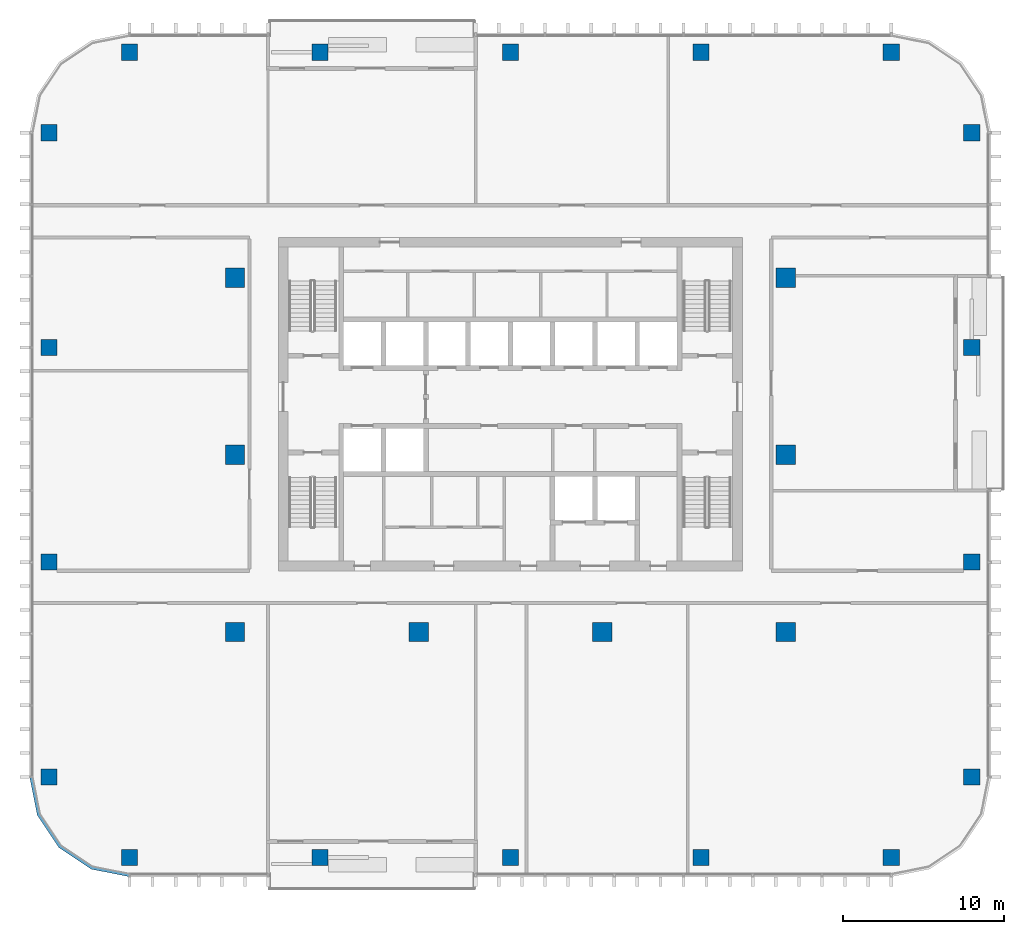
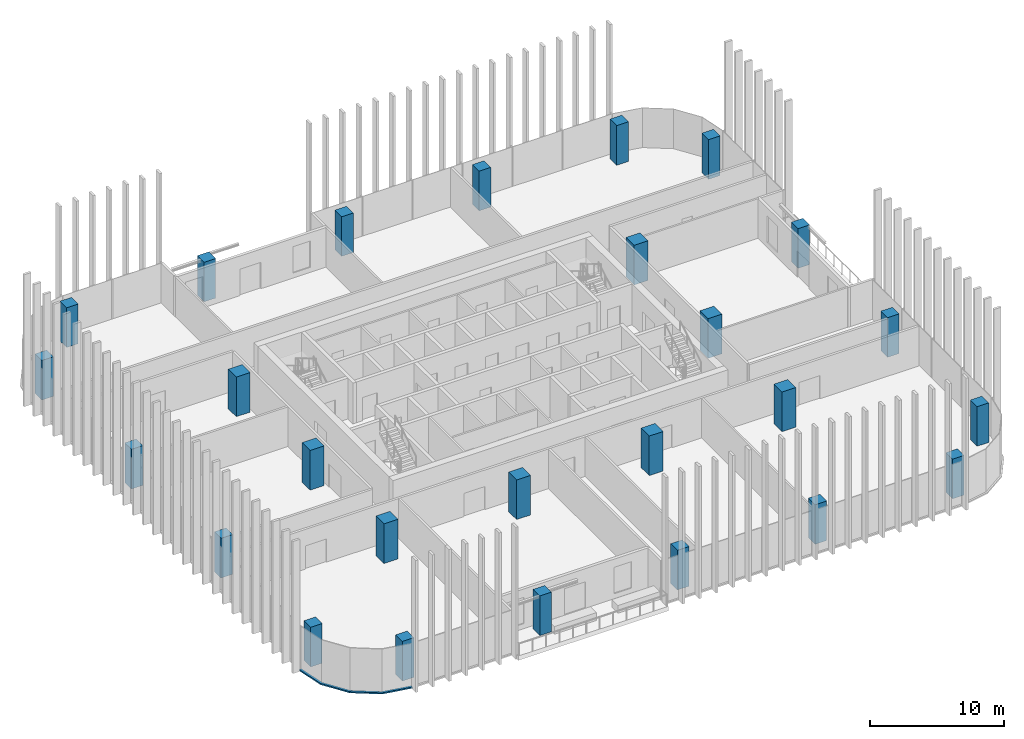
# One storey, part 1 of 16: 26 columns, 1 member, 1 element without a shape of its own.
"""IFC4 building model written with IfcOpenShell, lengths in metres."""

from ifc_helpers import new_model, si_unit, direction, frame, origin, origin_2d, place, context, subcontext, project, spatial, polyline, rectangle, outline, extrude, material, material_profile, profile_set, type_object, element, aggregate, save


model = new_model("IFC4")

# Units and contexts
model_context = context("Model", 3, precision=1e-05, world=origin(), true_north=direction((0.0, 1.0)))
body_context = subcontext(model_context, "Body", "Model", "MODEL_VIEW")
ifc_project = project(units=[si_unit("LENGTHUNIT", "METRE"), si_unit("AREAUNIT", "SQUARE_METRE"), si_unit("VOLUMEUNIT", "CUBIC_METRE"), si_unit("PLANEANGLEUNIT", "RADIAN"), si_unit("MASSUNIT", "GRAM", prefix="KILO")], contexts=[model_context])

# Site, building, storey
site_placement = place(None, origin())
site = spatial("IfcSite", under=ifc_project, at=site_placement, CompositionType="ELEMENT")
building_placement = place(site_placement, origin())
building = spatial("IfcBuilding", under=site, at=building_placement, Name="Mopane Tessera Tower", CompositionType="ELEMENT")
storey_placement = place(building_placement, frame((0.0, 0.0, 291.39990234375)))
storey = spatial("IfcBuildingStorey", under=building, at=storey_placement, Name="L63", CompositionType="ELEMENT", Elevation=291.39990234375)

# Columns
ifc_material_1 = material(Name="Concrete C40/50", Category="concrete")
ifc_material_profile_1 = material_profile(ifc_material_1, rectangle(XDim=1.199951171875, YDim=1.199951171875, at=origin_2d()))
ifc_profile_set_1 = profile_set([ifc_material_profile_1], Name="Concrete C40/50")
column_type_1 = type_object("IfcColumnType", Name="Interior column 1200 x 1200 C40/50", PredefinedType="COLUMN", material=ifc_profile_set_1)
for number, where, z_axis, x_axis, name in (
    (1, (-17.10009765625, -11.0, 0.0), (0.0, 0.0, 1.0), (1.0, 0.0, 0.0), "Interior column I1A L63"),
    (2, (-17.10009765625, 0.0, 0.0), (0.0, 0.0, 1.0), (1.0, 0.0, 0.0), "Interior column I1B L63"),
    (3, (-17.10009765625, 11.0, 0.0), (0.0, 0.0, 1.0), (1.0, 0.0, 0.0), "Interior column I1C L63"),
    (4, (-5.699951171875, -11.0, 0.0), (0.0, 0.0, 1.0), (1.0, 0.0, 0.0), "Interior column I2A L63"),
    (5, (5.699951171875, -11.0, 0.0), (0.0, 0.0, 1.0), (1.0, 0.0, 0.0), "Interior column I3A L63"),
    (6, (17.10009765625, -11.0, 0.0), (0.0, 0.0, 1.0), (1.0, 0.0, 0.0), "Interior column I4A L63"),
    (7, (17.10009765625, 0.0, 0.0), (0.0, 0.0, 1.0), (1.0, 0.0, 0.0), "Interior column I4B L63"),
    (8, (17.10009765625, 11.0, 0.0), (0.0, 0.0, 1.0), (1.0, 0.0, 0.0), "Interior column I4C L63"),
):
    element("IfcColumn", number, at=place(storey_placement, frame(where, z_axis=z_axis, x_axis=x_axis)), inside=storey, type_object=column_type_1, Name=name, PredefinedType="COLUMN", context=body_context, shape_type="SweptSolid", body=[
        extrude(rectangle(XDim=1.199951171875, YDim=1.199951171875, at=origin_2d()), origin(), (0.0, 0.0, 1.0), 3.60009765625),
    ])
ifc_material_2 = material(Name="Concrete C40/50", Category="concrete")
ifc_material_profile_2 = material_profile(ifc_material_2, rectangle(XDim=1.0, YDim=1.0, at=origin_2d()))
ifc_profile_set_2 = profile_set([ifc_material_profile_2], Name="Concrete C40/50")
column_type_2 = type_object("IfcColumnType", Name="Ring column 1000 x 1000 C40/50", PredefinedType="COLUMN", material=ifc_profile_set_2)
for number, where, z_axis, x_axis, name in (
    (9, (-23.64990234375, -25.0, 0.0), (0.0, 0.0, 1.0), (1.0, 0.0, 0.0), "Ring column S0 L63"),
    (10, (-11.824951171875, -25.0, 0.0), (0.0, 0.0, 1.0), (1.0, 0.0, 0.0), "Ring column S1 L63"),
    (11, (0.0, -25.0, 0.0), (0.0, 0.0, 1.0), (1.0, 0.0, 0.0), "Ring column S2 L63"),
    (12, (11.824951171875, -25.0, 0.0), (0.0, 0.0, 1.0), (1.0, 0.0, 0.0), "Ring column S3 L63"),
    (13, (23.64990234375, -25.0, 0.0), (0.0, 0.0, 1.0), (1.0, 0.0, 0.0), "Ring column S4 L63"),
    (14, (28.64990234375, -20.0, 0.0), (0.0, 0.0, 1.0), (1.0, 0.0, 0.0), "Ring column E0 L63"),
    (15, (28.64990234375, -6.666748046875, 0.0), (0.0, 0.0, 1.0), (1.0, 0.0, 0.0), "Ring column E1 L63"),
    (16, (28.64990234375, 6.666748046875, 0.0), (0.0, 0.0, 1.0), (1.0, 0.0, 0.0), "Ring column E2 L63"),
    (17, (28.64990234375, 20.0, 0.0), (0.0, 0.0, 1.0), (1.0, 0.0, 0.0), "Ring column E3 L63"),
    (18, (23.64990234375, 25.0, 0.0), (0.0, 0.0, 1.0), (1.0, 0.0, 0.0), "Ring column N0 L63"),
    (19, (11.824951171875, 25.0, 0.0), (0.0, 0.0, 1.0), (1.0, 0.0, 0.0), "Ring column N1 L63"),
    (20, (0.0, 25.0, 0.0), (0.0, 0.0, 1.0), (1.0, 0.0, 0.0), "Ring column N2 L63"),
    (21, (-11.824951171875, 25.0, 0.0), (0.0, 0.0, 1.0), (1.0, 0.0, 0.0), "Ring column N3 L63"),
    (22, (-23.64990234375, 25.0, 0.0), (0.0, 0.0, 1.0), (1.0, 0.0, 0.0), "Ring column N4 L63"),
    (23, (-28.64990234375, 20.0, 0.0), (0.0, 0.0, 1.0), (1.0, 0.0, 0.0), "Ring column W0 L63"),
    (24, (-28.64990234375, 6.666748046875, 0.0), (0.0, 0.0, 1.0), (1.0, 0.0, 0.0), "Ring column W1 L63"),
    (25, (-28.64990234375, -6.666748046875, 0.0), (0.0, 0.0, 1.0), (1.0, 0.0, 0.0), "Ring column W2 L63"),
    (26, (-28.64990234375, -20.0, 0.0), (0.0, 0.0, 1.0), (1.0, 0.0, 0.0), "Ring column W3 L63"),
):
    element("IfcColumn", number, at=place(storey_placement, frame(where, z_axis=z_axis, x_axis=x_axis)), inside=storey, type_object=column_type_2, Name=name, PredefinedType="COLUMN", context=body_context, shape_type="SweptSolid", body=[
        extrude(rectangle(XDim=1.0, YDim=1.0, at=origin_2d()), origin(), (0.0, 0.0, 1.0), 3.60009765625),
    ])

# Curtain wall, member
ifc_material_3 = material(Name="Aluminium frame", Category="aluminium")
curtain_wall_type = type_object("IfcCurtainWallType", Name="Unitised curtain wall", PredefinedType="NOTDEFINED", material=ifc_material_3)
curtain_wall_placement = place(storey_placement, origin())
curtain_wall = element("IfcCurtainWall", 27, at=curtain_wall_placement, inside=storey, type_object=curtain_wall_type, Name="e:cw:L63:CW", PredefinedType="NOTDEFINED")
ifc_material_4 = material(Name="Aluminium frame", Category="aluminium")
ifc_material_profile_3 = material_profile(ifc_material_4, rectangle(XDim=0.199951171875, YDim=0.1201171875, at=origin_2d()))
ifc_profile_set_3 = profile_set([ifc_material_profile_3], Name="Aluminium frame")
member_type = type_object("IfcMemberType", Name="Aluminium transom 200 x 120", PredefinedType="USERDEFINED", material=ifc_profile_set_3)
member_placement = place(storey_placement, frame((0.0, 0.0, -0.39990234375)))
member = element("IfcMember", 28, at=member_placement, type_object=member_type, Name="e:cw:L63:CW:tr", ObjectType="TRANSOM", PredefinedType="USERDEFINED", context=body_context, shape_type="SweptSolid", body=[
    extrude(outline(polyline([(-29.64990234375, -20.0), (-29.193359375, -22.296142578125), (-27.892578125, -24.24267578125), (-25.946044921875, -25.543212890625), (-23.64990234375, -26.0), (-23.64990234375, -26.199951171875), (-26.022705078125, -25.72802734375), (-28.0341796875, -24.384033203125), (-29.378173828125, -22.37255859375), (-29.85009765625, -20.0), (-29.64990234375, -20.0)])), origin(), (0.0, 0.0, 1.0), 0.1201171875),
])
aggregate(curtain_wall, [member])

save(model, "model.ifc")
